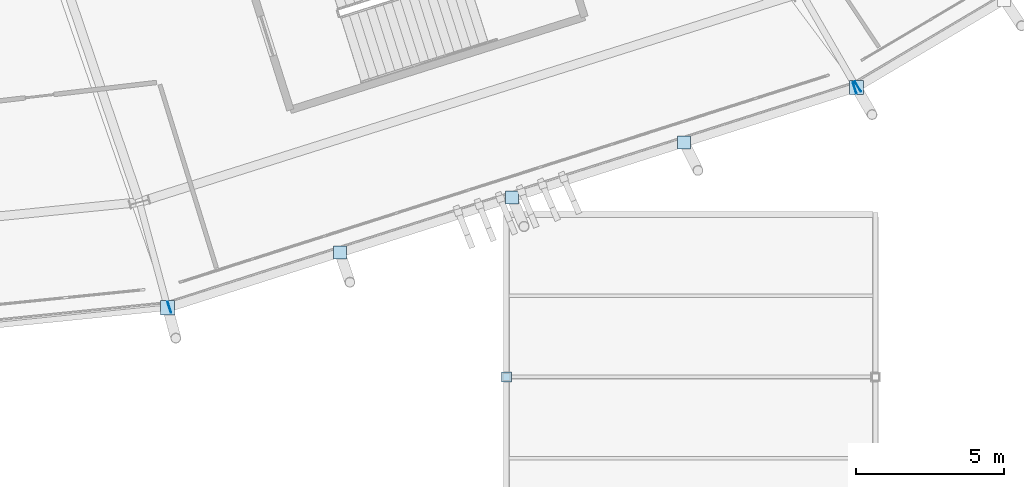
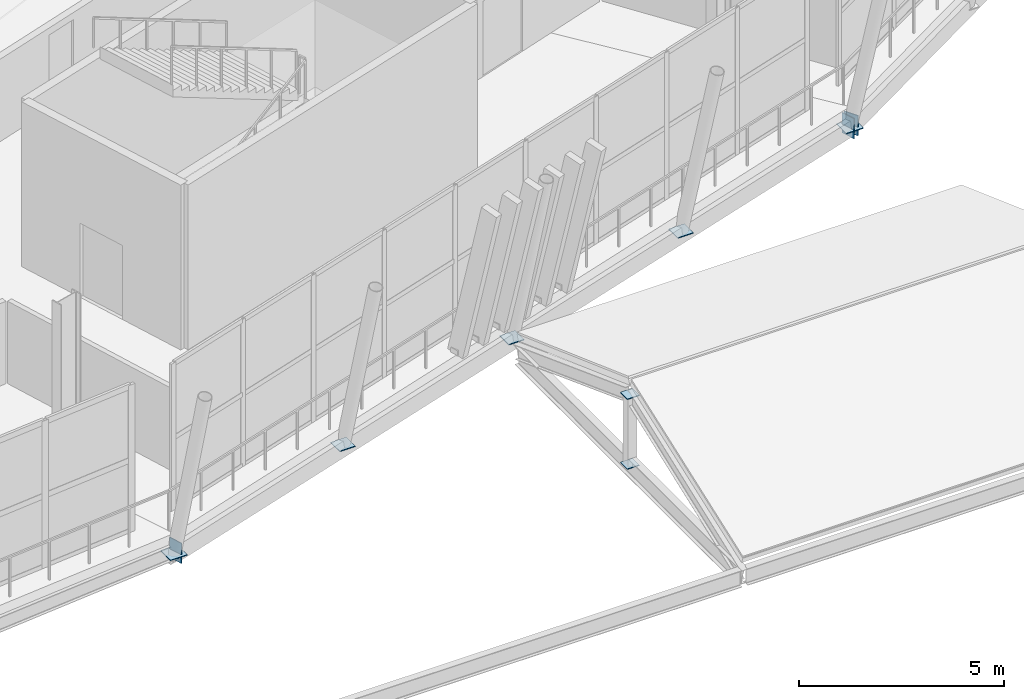
# One storey, part 102 of 168: 10 plates.
"""IFC4 building model written with IfcOpenShell, lengths in metres."""

from ifc_helpers import new_model, si_unit, direction, frame, origin, origin_2d, place, context, subcontext, project, spatial, rectangle, extrude, material, layer, layer_set, type_object, element, save


model = new_model("IFC4")

# Units and contexts
model_context = context("Model", 3, precision=1e-05, world=origin(), true_north=direction((0.0, 1.0)))
body_context = subcontext(model_context, "Body", "Model", "MODEL_VIEW")
ifc_project = project(units=[si_unit("LENGTHUNIT", "METRE"), si_unit("AREAUNIT", "SQUARE_METRE"), si_unit("VOLUMEUNIT", "CUBIC_METRE"), si_unit("PLANEANGLEUNIT", "RADIAN"), si_unit("MASSUNIT", "GRAM", prefix="KILO")], contexts=[model_context])

# Site, building, storey
site_placement = place(None, origin())
site = spatial("IfcSite", under=ifc_project, at=site_placement, CompositionType="ELEMENT")
building_placement = place(site_placement, origin())
building = spatial("IfcBuilding", under=site, at=building_placement, Name="Zlatoyarsky Gate Stadium", CompositionType="ELEMENT")
storey_placement = place(building_placement, frame((0.0, 0.0, 15.60009765625)))
storey = spatial("IfcBuildingStorey", under=building, at=storey_placement, Name="L03", CompositionType="ELEMENT", Elevation=15.60009765625)

# Plates
ifc_material = material(Name="Steel S355", Category="steel")
ifc_layer = layer(ifc_material, 0.02392578125)
ifc_layer_set = layer_set([ifc_layer], Name="Steel S355")
plate_type = type_object("IfcPlateType", Name="STEEL HOLLOW CHORD SPLICE SHEET 24", PredefinedType="SHEET", material=ifc_layer_set)
for number, where, z_axis, x_axis, name in (
    (1, (136.08544921875, 7.861572265625, -0.830078125), (0.0, 0.0, 1.0), (0.952429647301, 0.304758538753, 0.0), "Hollow end cap ND-SP1 CAP-L03-SPD-19 A"),
    (2, (159.2939453125, 15.28759765625, -0.830078125), (0.0, 0.0, 1.0), (0.952429647301, 0.304758538753, 0.0), "Hollow end cap ND-SP1 CAP-L03-SPD-19 B"),
):
    element("IfcPlate", number, at=place(storey_placement, frame(where, z_axis=z_axis, x_axis=x_axis)), inside=storey, type_object=plate_type, Name=name, PredefinedType="SHEET", context=body_context, shape_type="SweptSolid", body=[
        extrude(rectangle(XDim=0.02392578125, YDim=0.39990234375, at=origin_2d()), origin(), (0.0, 0.0, 1.0), 0.60009765625),
    ])
plate_1_placement = place(storey_placement, frame((136.0283203125, 7.84326171875, -0.592041015625), z_axis=(0.0, 0.0, 1.0), x_axis=(1.0, 0.0, 0.0)))
element("IfcPlate", 3, at=plate_1_placement, inside=storey, type_object=plate_type, Name="Node closure plate ND-SP1 NCAP-L03-RSTR-19", PredefinedType="SHEET", context=body_context, shape_type="SweptSolid", body=[
    extrude(rectangle(XDim=0.47998046875, YDim=0.47998046875, at=origin_2d()), origin(), (0.0, 0.0, 1.0), 0.02392578125),
])
plate_2_placement = place(storey_placement, frame((159.402587890625, 15.336669921875, -0.830078125), z_axis=(0.0, 0.0, 1.0), x_axis=(0.860228734412, 0.50990834911, 0.0)))
element("IfcPlate", 4, at=plate_2_placement, inside=storey, type_object=plate_type, Name="Hollow end cap ND-SP1 CAP-L03-SPD-20 A", PredefinedType="SHEET", context=body_context, shape_type="SweptSolid", body=[
    extrude(rectangle(XDim=0.02392578125, YDim=0.39990234375, at=origin_2d()), origin(), (0.0, 0.0, 1.0), 0.60009765625),
])
plate_3_placement = place(storey_placement, frame((159.35107421875, 15.305908203125, -0.592041015625), z_axis=(0.0, 0.0, 1.0), x_axis=(1.0, 0.0, 0.0)))
element("IfcPlate", 5, at=plate_3_placement, inside=storey, type_object=plate_type, Name="Node closure plate ND-SP1 NCAP-L03-RSTR-20", PredefinedType="SHEET", context=body_context, shape_type="SweptSolid", body=[
    extrude(rectangle(XDim=0.47998046875, YDim=0.47998046875, at=origin_2d()), origin(), (0.0, 0.0, 1.0), 0.02392578125),
])
for number, where, z_axis, x_axis, name in (
    (6, (141.859130859375, 9.708984375, -0.5419921875), (0.0, 0.0, 1.0), (1.0, 0.0, 0.0), "Node closure plate ND-SP1 NCAP-RIB-19-1-1T"),
    (7, (147.689697265625, 11.57470703125, -0.5419921875), (0.0, 0.0, 1.0), (1.0, 0.0, 0.0), "Node closure plate ND-SP1 NCAP-RIB-19-2-1T"),
    (8, (153.5205078125, 13.440185546875, -0.5419921875), (0.0, 0.0, 1.0), (1.0, 0.0, 0.0), "Node closure plate ND-SP1 NCAP-RIB-19-3-1T"),
):
    element("IfcPlate", number, at=place(storey_placement, frame(where, z_axis=z_axis, x_axis=x_axis)), inside=storey, type_object=plate_type, Name=name, PredefinedType="SHEET", context=body_context, shape_type="SweptSolid", body=[
        extrude(rectangle(XDim=0.43994140625, YDim=0.43994140625, at=origin_2d()), origin(), (0.0, 0.0, 1.0), 0.02392578125),
    ])
for number, where, z_axis, x_axis, name in (
    (9, (147.5, 5.5, -0.5419921875), (0.0, 0.0, 1.0), (1.0, 0.0, 0.0), "Node closure plate ND-SP1 NCAP-KP-V3_SOUTH_E-1A"),
    (10, (147.5, 5.5, 1.537841796875), (0.0, 0.0, 1.0), (1.0, 0.0, 0.0), "Node closure plate ND-SP1 NCAP-KP-V3_SOUTH_E-1B"),
):
    element("IfcPlate", number, at=place(storey_placement, frame(where, z_axis=z_axis, x_axis=x_axis)), inside=storey, type_object=plate_type, Name=name, PredefinedType="SHEET", context=body_context, shape_type="SweptSolid", body=[
        extrude(rectangle(XDim=0.340087890625, YDim=0.340087890625, at=origin_2d()), origin(), (0.0, 0.0, 1.0), 0.02392578125),
    ])

save(model, "model.ifc")
